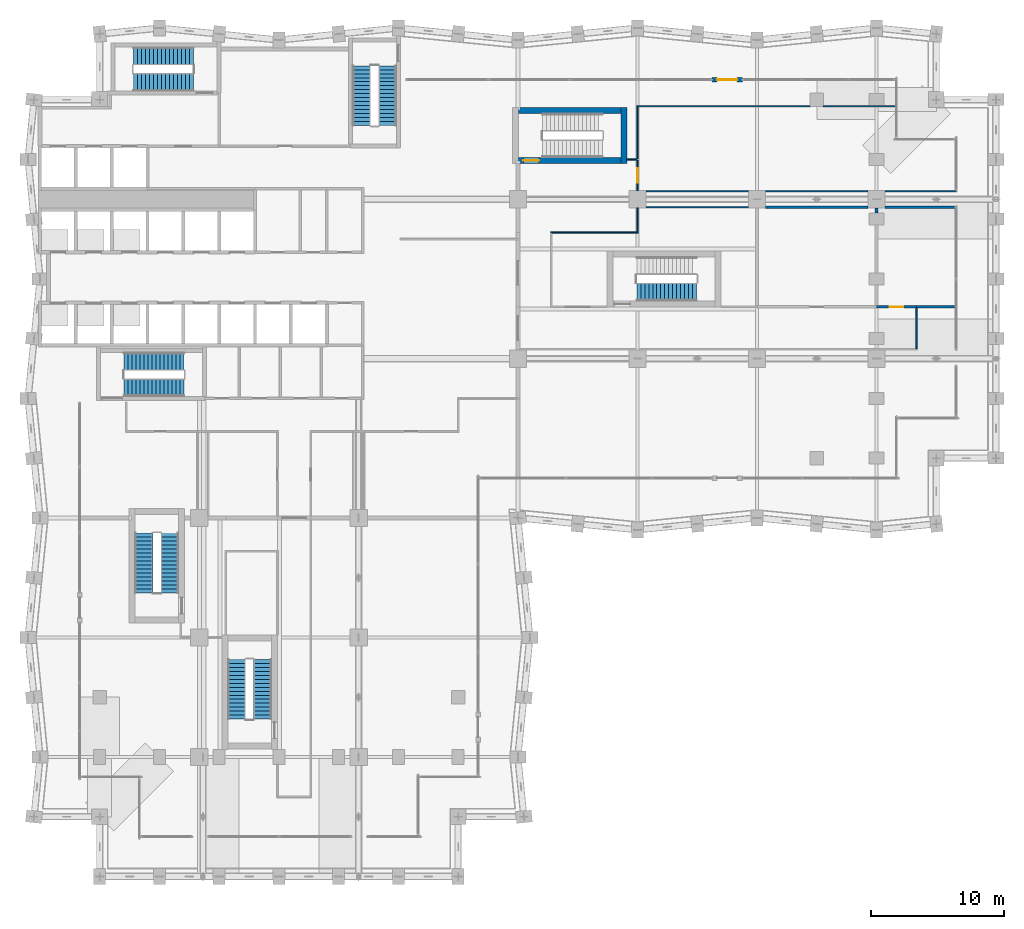
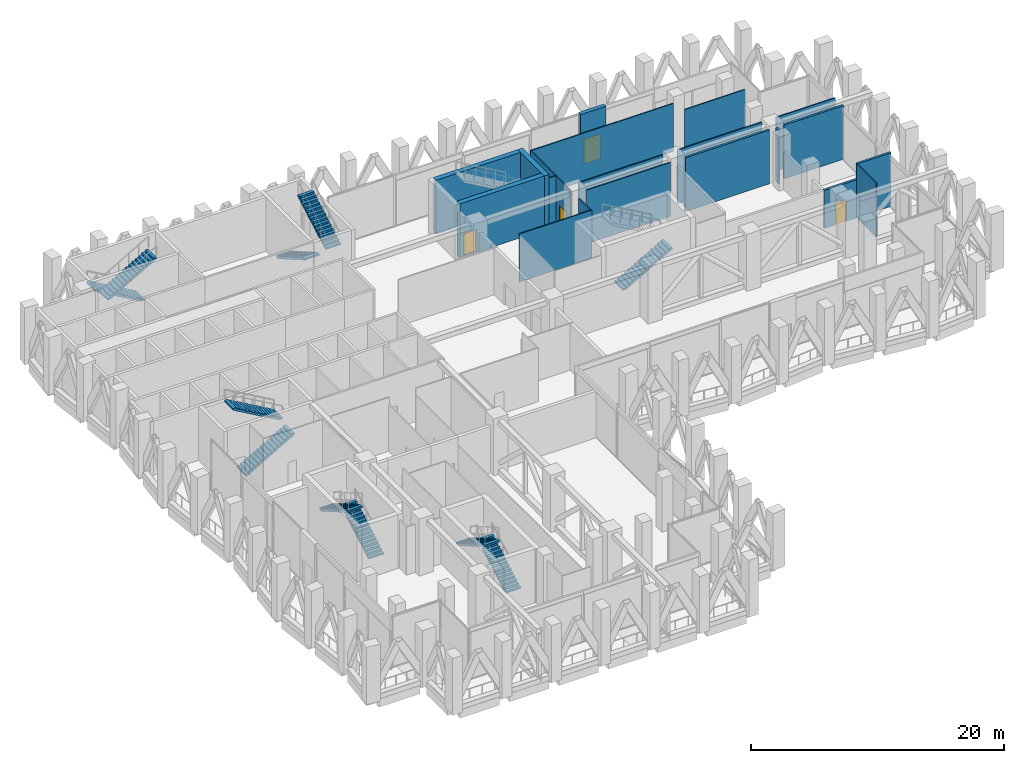
# One storey, part 25 of 37: 21 walls, 11 stair flights, 4 doors, 4 openings, 6 elements without a shape of their own.
"""IFC4 building model written with IfcOpenShell, lengths in metres."""

import ifcopenshell
import ifcopenshell.guid

model = None  # the IFC model being written
_history = None  # IfcOwnerHistory: only IFC2X3 demands one
_inside = {}  # id of a spatial element -> (the spatial element, [elements in it])
_under = {}  # id of a project, library or spatial element -> (it, [spatial elements below it])
_declared = {}  # id of a project -> (the project, [libraries it declares])
_typed = {}  # id of a type object -> (the type object, [elements of that type])
_made_of = {}  # id of a material, layer set ... -> (it, [elements and type objects made of it])


def new_model(schema):
    """Start an empty IFC model of exactly this schema.

    Asked for "IFC4X3", IfcOpenShell would pick the latest addendum, in which some entities
    have other attributes; the version numbers below select the first issue.
    IFC2X3 requires an IfcOwnerHistory on every rooted entity: one is made here for all.
    """
    global model, _history
    if schema == "IFC4X3":
        model = ifcopenshell.file(schema_version=(4, 3, 0, 0))
    else:
        model = ifcopenshell.file(schema=schema)
    _inside.clear()
    _under.clear()
    _declared.clear()
    _typed.clear()
    _made_of.clear()
    _history = None
    if model.schema == "IFC2X3":
        org = make("IfcOrganization", Name="unknown")
        user = make(
            "IfcPersonAndOrganization",
            ThePerson=make("IfcPerson", FamilyName="unknown"),
            TheOrganization=org,
        )
        app = make(
            "IfcApplication",
            ApplicationDeveloper=org,
            Version="unknown",
            ApplicationFullName="unknown",
            ApplicationIdentifier="unknown",
        )
        _history = make(
            "IfcOwnerHistory",
            OwningUser=user,
            OwningApplication=app,
            ChangeAction="ADDED",
            CreationDate=0,
        )
    return model


def make(cls, **values):
    """One entity of the class cls with the attributes given. An attribute that is None is left unset."""
    return model.create_entity(
        cls, **{name: value for name, value in values.items() if value is not None}
    )


def rooted(cls, **values):
    """An entity with a GlobalId (a new one), such as an element, a storey or a relation."""
    return make(cls, GlobalId=ifcopenshell.guid.new(), OwnerHistory=_history, **values)


def si_unit(unit_type, name, prefix=None):
    """IfcSIUnit, for example si_unit("LENGTHUNIT", "METRE", prefix="MILLI")."""
    return make("IfcSIUnit", UnitType=unit_type, Prefix=prefix, Name=name)


def assignment(units):
    """IfcUnitAssignment: the units of a project."""
    return None if units is None else make("IfcUnitAssignment", Units=units)


def point(xyz):
    """IfcCartesianPoint."""
    return None if xyz is None else make("IfcCartesianPoint", Coordinates=xyz)


def direction(xyz):
    """IfcDirection."""
    return None if xyz is None else make("IfcDirection", DirectionRatios=xyz)


def frame(location, z_axis=None, x_axis=None):
    """IfcAxis2Placement3D, a coordinate frame: its origin and axes. An axis left out is left unset."""
    return make(
        "IfcAxis2Placement3D",
        Location=point(location),
        Axis=direction(z_axis),
        RefDirection=direction(x_axis),
    )


def frame_2d(location, x_axis=None):
    """IfcAxis2Placement2D, a coordinate frame in the plane: its origin and x axis."""
    return make(
        "IfcAxis2Placement2D", Location=point(location), RefDirection=direction(x_axis)
    )


def origin():
    """The frame at (0, 0, 0) with its axes left unset."""
    return frame((0.0, 0.0, 0.0))


def place(relative_to, where):
    """IfcLocalPlacement: puts the frame where relative to a parent placement (None: the world)."""
    return make(
        "IfcLocalPlacement", PlacementRelTo=relative_to, RelativePlacement=where
    )


def context(
    kind, dimensions, precision=None, world=None, true_north=None, identifier=None
):
    """IfcGeometricRepresentationContext, for example the 3D "Model" context."""
    return make(
        "IfcGeometricRepresentationContext",
        ContextIdentifier=identifier,
        ContextType=kind,
        CoordinateSpaceDimension=dimensions,
        Precision=precision,
        WorldCoordinateSystem=world,
        TrueNorth=true_north,
    )


def subcontext(parent, identifier, kind, view, scale=None):
    """IfcGeometricRepresentationSubContext, for example "Body" below "Model"."""
    return make(
        "IfcGeometricRepresentationSubContext",
        ContextIdentifier=identifier,
        ContextType=kind,
        ParentContext=parent,
        TargetScale=scale,
        TargetView=view,
    )


def project(units=None, contexts=None):
    """IfcProject with its units and contexts."""
    return rooted(
        "IfcProject",
        Name="project",
        RepresentationContexts=contexts,
        UnitsInContext=assignment(units),
    )


def spatial(cls, under=None, at=None, **own):
    """A site, building, storey or space (cls), placed at a placement, below another one or the project."""
    s = rooted(cls, ObjectPlacement=at, **own)
    if under is not None:
        _under.setdefault(under.id(), (under, []))[1].append(s)
    return s


def polyline(points):
    """IfcPolyline through the points."""
    return make("IfcPolyline", Points=[point(p) for p in points])


def profile(cls, at=None, kind="AREA", **sizes):
    """A parametric profile (cls). Its sizes go by their IFC names, for example OverallWidth=200.0."""
    return make(cls, ProfileType=kind, Position=at, **sizes)


def rectangle(**sizes):
    """IfcRectangleProfileDef."""
    return profile("IfcRectangleProfileDef", **sizes)


def outline(outer, holes=None, kind="AREA"):
    """IfcArbitraryClosedProfileDef: a profile drawn as a closed curve; with holes, ...WithVoids."""
    if holes is None:
        return make("IfcArbitraryClosedProfileDef", ProfileType=kind, OuterCurve=outer)
    return make(
        "IfcArbitraryProfileDefWithVoids",
        ProfileType=kind,
        OuterCurve=outer,
        InnerCurves=holes,
    )


def extrude(swept, where, along, depth):
    """IfcExtrudedAreaSolid: the profile swept, set in the frame where, extruded along a direction by depth."""
    return make(
        "IfcExtrudedAreaSolid",
        SweptArea=swept,
        Position=where,
        ExtrudedDirection=direction(along),
        Depth=depth,
    )


def shape(context_of_items, identifier, shape_type, items):
    """IfcShapeRepresentation: the items that make up one representation, for example the "Body"."""
    return make(
        "IfcShapeRepresentation",
        ContextOfItems=context_of_items,
        RepresentationIdentifier=identifier,
        RepresentationType=shape_type,
        Items=items,
    )


def material(Name=None, Category=None):
    """IfcMaterial."""
    return make("IfcMaterial", Name=Name, Category=Category)


def layer(
    of_material, thickness, ventilated=None, Name=None, Category=None, Priority=None
):
    """IfcMaterialLayer: one layer of a wall or slab, of a material (None: an air gap)."""
    return make(
        "IfcMaterialLayer",
        Material=of_material,
        LayerThickness=thickness,
        IsVentilated=ventilated,
        Name=Name,
        Category=Category,
        Priority=Priority,
    )


def layer_set(layers, Name=None):
    """IfcMaterialLayerSet."""
    return make("IfcMaterialLayerSet", MaterialLayers=layers, LayerSetName=Name)


def made_of(thing, what):
    """Note that an element or type object is made of a material, layer set ...; save() writes the relation."""
    if what is not None:
        _made_of.setdefault(what.id(), (what, []))[1].append(thing)
    return thing


def type_object(cls, material=None, **own):
    """A type object (cls), such as IfcWallType, which elements share."""
    return made_of(rooted(cls, **own), material)


def element(
    cls,
    number,
    at=None,
    inside=None,
    cuts=None,
    type_object=None,
    material=None,
    context=None,
    identifier="Body",
    shape_type=None,
    held_by="IfcProductDefinitionShape",
    body=None,
    shapes=None,
    **own,
):
    """One element of the class cls, such as IfcWall. Its Tag is "e" and its number.

    at: its placement. inside: the storey or other place that contains it. cuts: it is an
    opening in that element (IfcRelVoidsElement). A single representation is given by context,
    identifier, shape_type and body (its items); several are given by shapes. held_by: the class
    of the entity that holds the representations. save() writes the other relations.
    """
    e = rooted(cls, Tag="e%d" % number, ObjectPlacement=at, **own)
    if body is not None:
        shapes = [shape(context, identifier, shape_type, body)]
    if shapes is not None:
        e.Representation = make(held_by, Representations=shapes)
    if inside is not None:
        _inside.setdefault(inside.id(), (inside, []))[1].append(e)
    if cuts is not None:
        rooted(
            "IfcRelVoidsElement", RelatingBuildingElement=cuts, RelatedOpeningElement=e
        )
    if type_object is not None:
        _typed.setdefault(type_object.id(), (type_object, []))[1].append(e)
    return made_of(e, material)


def fill(opening, filler):
    """IfcRelFillsElement: the door or window that sits in an opening."""
    return rooted(
        "IfcRelFillsElement",
        RelatingOpeningElement=opening,
        RelatedBuildingElement=filler,
    )


def aggregate(whole, parts):
    """IfcRelAggregates: a whole, such as a stair, and the parts it consists of."""
    return rooted("IfcRelAggregates", RelatingObject=whole, RelatedObjects=parts)


def save(model, path):
    """Write the relations noted so far, then the file.

    IfcRelAggregates (storeys below a building ...), IfcRelContainedInSpatialStructure (elements
    in a storey), IfcRelDefinesByType, IfcRelAssociatesMaterial and IfcRelDeclares: one each for
    every whole, place, type object, material and project.
    """
    for whole, parts in _under.values():
        aggregate(whole, parts)
    for where, things in _inside.values():
        rooted(
            "IfcRelContainedInSpatialStructure",
            RelatedElements=things,
            RelatingStructure=where,
        )
    for kind, things in _typed.values():
        rooted("IfcRelDefinesByType", RelatedObjects=things, RelatingType=kind)
    for what, things in _made_of.values():
        rooted("IfcRelAssociatesMaterial", RelatedObjects=things, RelatingMaterial=what)
    for by, libraries in _declared.values():
        rooted("IfcRelDeclares", RelatingContext=by, RelatedDefinitions=libraries)
    model.write(path)


model = new_model("IFC4")

# Units and contexts
model_context = context("Model", 3, precision=1e-05, world=origin(), true_north=direction((0.0, 1.0)))
body_context = subcontext(model_context, "Body", "Model", "MODEL_VIEW")
ifc_project = project(units=[si_unit("LENGTHUNIT", "METRE"), si_unit("AREAUNIT", "SQUARE_METRE"), si_unit("VOLUMEUNIT", "CUBIC_METRE"), si_unit("PLANEANGLEUNIT", "RADIAN"), si_unit("MASSUNIT", "GRAM", prefix="KILO")], contexts=[model_context])

# Site, building, storey
site_placement = place(None, origin())
site = spatial("IfcSite", under=ifc_project, at=site_placement, CompositionType="ELEMENT")
building_placement = place(site_placement, origin())
building = spatial("IfcBuilding", under=site, at=building_placement, Name="Brondeck Convention Tower", CompositionType="ELEMENT")
storey_placement = place(building_placement, frame((0.0, 0.0, 137.89990234375)))
storey = spatial("IfcBuildingStorey", under=building, at=storey_placement, Name="L33", CompositionType="ELEMENT", Elevation=137.89990234375)

# Wall, opening, door
ifc_material_1 = material(Name="Precast concrete C50/60 bronze finish", Category="concrete")
ifc_layer_1 = layer(ifc_material_1, 0.080078125, Name="Bronze precast facing")
ifc_material_2 = material(Name="Mineral wool")
ifc_layer_2 = layer(ifc_material_2, 0.159912109375, Name="Insulation")
ifc_material_3 = material(Name="Precast concrete C50/60", Category="concrete")
ifc_layer_3 = layer(ifc_material_3, 0.110107421875, Name="Rated backing")
ifc_layer_set_1 = layer_set([ifc_layer_1, ifc_layer_2, ifc_layer_3], Name="Band enclosure wall, insulated panel")
wall_type_1 = type_object("IfcWallType", Name="Band enclosure wall, insulated panel", PredefinedType="SOLIDWALL", material=ifc_layer_set_1)
wall_1_placement = place(storey_placement, frame((50.60009765625, 60.0, 0.0), z_axis=(0.0, 0.0, 1.0), x_axis=(1.0, 0.0, 0.0)))
wall_1 = element("IfcWall", 1, at=wall_1_placement, inside=storey, type_object=wall_type_1, Name="ENV-BW-L33-BT-A-N", PredefinedType="SOLIDWALL", context=body_context, shape_type="SweptSolid", body=[
    extrude(rectangle(XDim=2.2998046875, YDim=0.35009765625, at=frame_2d((1.14990234375, 0.0))), origin(), (0.0, 0.0, 1.0), 5.0),
])
opening_1_placement = place(wall_1_placement, frame((0.39990234375, 0.0, 0.0)))
opening_1 = element("IfcOpeningElement", 2, at=opening_1_placement, cuts=wall_1, Name="Opening DB-L33-BT-A-N", PredefinedType="OPENING", context=body_context, shape_type="SweptSolid", body=[
    extrude(rectangle(XDim=1.5, YDim=2.39990234375, at=frame_2d((0.75, 1.199951171875))), frame((0.0, 0.18505859375, 0.0), z_axis=(0.0, -1.0, 0.0), x_axis=(1.0, 0.0, 0.0)), (0.0, 0.0, 1.0), 0.3701171875),
])
ifc_material_4 = material(Name="Steel, fire-rated door leaf", Category="steel")
door_type_1 = type_object("IfcDoorType", Name="Refuge terrace door, double leaf", OperationType="DOUBLE_DOOR_SINGLE_SWING", PredefinedType="DOOR", material=ifc_material_4)
door_1_placement = place(opening_1_placement, origin())
door_1 = element("IfcDoor", 3, at=door_1_placement, inside=storey, type_object=door_type_1, Name="ENV-D-DB-L33-BT-A-N", OperationType="DOUBLE_DOOR_SINGLE_SWING", OverallHeight=2.39990234375, OverallWidth=1.5, PredefinedType="DOOR", context=body_context, shape_type="SweptSolid", body=[
    extrude(rectangle(XDim=1.5, YDim=2.39990234375, at=frame_2d((0.75, 1.199951171875))), frame((0.0, 0.02490234375, 0.0), z_axis=(0.0, -1.0, 0.0), x_axis=(1.0, 0.0, 0.0)), (0.0, 0.0, 1.0), 0.050048828125),
])
fill(opening_1, door_1)

ifc_material_5 = material(Name="Concrete block wall C16/20", Category="concrete")
ifc_layer_4 = layer(ifc_material_5, 0.199951171875)
ifc_layer_set_2 = layer_set([ifc_layer_4], Name="Plant room wall 200")
wall_type_2 = type_object("IfcWallType", Name="Plant room wall 200", PredefinedType="PARTITIONING", material=ifc_layer_set_2)
wall_2_placement = place(storey_placement, frame((63.0, 42.89990234375, 0.0), z_axis=(0.0, 0.0, 1.0), x_axis=(1.0, 0.0, 0.0)))
wall_2 = element("IfcWall", 4, at=wall_2_placement, inside=storey, type_object=wall_type_2, Name="FLR-L33-W043", PredefinedType="PARTITIONING", context=body_context, shape_type="SweptSolid", body=[
    extrude(rectangle(XDim=3.0, YDim=0.199951171875, at=frame_2d((1.5, 0.0))), origin(), (0.0, 0.0, 1.0), 3.68017578125),
])
opening_2_placement = place(wall_2_placement, frame((1.0, 0.0, 0.0)))
opening_2 = element("IfcOpeningElement", 5, at=opening_2_placement, cuts=wall_2, Name="Opening BD-2-003", PredefinedType="OPENING", context=body_context, shape_type="SweptSolid", body=[
    extrude(rectangle(XDim=1.0, YDim=2.10009765625, at=frame_2d((0.5, 1.050048828125))), frame((0.0, 0.10986328125, 0.0), z_axis=(0.0, -1.0, 0.0), x_axis=(1.0, 0.0, 0.0)), (0.0, 0.0, 1.0), 0.219970703125),
])
ifc_material_6 = material(Name="Steel fire door leaf", Category="steel")
door_type_2 = type_object("IfcDoorType", Name="Plant room door 1000", OperationType="NOTDEFINED", PredefinedType="DOOR", material=ifc_material_6)
door_2_placement = place(opening_2_placement, origin())
door_2 = element("IfcDoor", 6, at=door_2_placement, inside=storey, type_object=door_type_2, Name="Door BD-2-003", OperationType="SINGLE_SWING_LEFT", OverallHeight=2.10009765625, OverallWidth=1.0, PredefinedType="DOOR", context=body_context, shape_type="SweptSolid", body=[
    extrude(rectangle(XDim=1.0, YDim=2.10009765625, at=frame_2d((0.5, 1.050048828125))), frame((0.0, 0.02490234375, 0.0), z_axis=(0.0, -1.0, 0.0), x_axis=(1.0, 0.0, 0.0)), (0.0, 0.0, 1.0), 0.050048828125),
])
fill(opening_2, door_2)

# Walls
wall_3_placement = place(storey_placement, frame((69.10009765625, 42.89990234375, 0.0), z_axis=(0.0, 0.0, 1.0), x_axis=(-1.0, 0.0, 0.0)))
element("IfcWall", 7, at=wall_3_placement, inside=storey, type_object=wall_type_2, Name="FLR-L33-W044", PredefinedType="PARTITIONING", context=body_context, shape_type="SweptSolid", body=[
    extrude(rectangle(XDim=3.10009765625, YDim=0.199951171875, at=frame_2d((1.550048828125, 0.0))), origin(), (0.0, 0.0, 1.0), 5.18017578125),
])
wall_4_placement = place(storey_placement, frame((63.0, 50.330078125, 0.0), z_axis=(0.0, 0.0, 1.0), x_axis=(0.0, -1.0, 0.0)))
element("IfcWall", 8, at=wall_4_placement, inside=storey, type_object=wall_type_2, Name="FLR-L33-W054", PredefinedType="PARTITIONING", context=body_context, shape_type="SweptSolid", body=[
    extrude(rectangle(XDim=0.375, YDim=0.199951171875, at=frame_2d((0.1875, 0.0))), origin(), (0.0, 0.0, 1.0), 5.18017578125),
])
wall_5_placement = place(storey_placement, frame((54.655029296875, 50.39990234375, 0.0), z_axis=(0.0, 0.0, 1.0), x_axis=(1.0, 0.0, 0.0)))
element("IfcWall", 9, at=wall_5_placement, inside=storey, type_object=wall_type_2, Name="FLR-L33-W058", PredefinedType="PARTITIONING", context=body_context, shape_type="SweptSolid", body=[
    extrude(rectangle(XDim=7.68994140625, YDim=0.199951171875, at=frame_2d((3.844970703125, 0.0))), origin(), (0.0, 0.0, 1.0), 5.18017578125),
])
wall_6_placement = place(storey_placement, frame((63.655029296875, 50.39990234375, 0.0), z_axis=(0.0, 0.0, 1.0), x_axis=(1.0, 0.0, 0.0)))
element("IfcWall", 10, at=wall_6_placement, inside=storey, type_object=wall_type_2, Name="FLR-L33-W059", PredefinedType="PARTITIONING", context=body_context, shape_type="SweptSolid", body=[
    extrude(rectangle(XDim=5.445068359375, YDim=0.199951171875, at=frame_2d((2.72265625, 0.0))), origin(), (0.0, 0.0, 1.0), 5.18017578125),
])
ifc_material_7 = material(Name="Gypsum board partition on steel studs", Category="steel")
ifc_layer_5 = layer(ifc_material_7, 0.10009765625)
ifc_layer_set_3 = layer_set([ifc_layer_5], Name="Room partition 100")
wall_type_3 = type_object("IfcWallType", Name="Room partition 100", PredefinedType="PARTITIONING", material=ifc_layer_set_3)
wall_7_placement = place(storey_placement, frame((66.0, 42.800048828125, 0.0), z_axis=(0.0, 0.0, 1.0), x_axis=(0.0, -1.0, 0.0)))
element("IfcWall", 11, at=wall_7_placement, inside=storey, type_object=wall_type_3, Name="FLR-L33-W038", PredefinedType="PARTITIONING", context=body_context, shape_type="SweptSolid", body=[
    extrude(rectangle(XDim=3.050048828125, YDim=0.10009765625, at=frame_2d((1.52490234375, 0.0))), origin(), (0.0, 0.0, 1.0), 5.18017578125),
])
wall_8_placement = place(storey_placement, frame((45.050048828125, 48.5, 0.0), z_axis=(0.0, 0.0, 1.0), x_axis=(-1.0, 0.0, 0.0)))
element("IfcWall", 12, at=wall_8_placement, inside=storey, type_object=wall_type_3, Name="FLR-L33-W051", PredefinedType="PARTITIONING", context=body_context, shape_type="SweptSolid", body=[
    extrude(rectangle(XDim=6.60009765625, YDim=0.10009765625, at=frame_2d((3.300048828125, 0.0))), origin(), (0.0, 0.0, 1.0), 4.630126953125),
])
wall_9_placement = place(storey_placement, frame((45.0, 50.344970703125, 0.0), z_axis=(0.0, 0.0, 1.0), x_axis=(0.0, -1.0, 0.0)))
element("IfcWall", 13, at=wall_9_placement, inside=storey, type_object=wall_type_3, Name="FLR-L33-W056", PredefinedType="PARTITIONING", context=body_context, shape_type="SweptSolid", body=[
    extrude(rectangle(XDim=1.794921875, YDim=0.10009765625, at=frame_2d((0.8974609375, 0.0))), origin(), (0.0, 0.0, 1.0), 4.630126953125),
])
for number, where, z_axis, x_axis, name in (
    (14, (45.655029296875, 50.39990234375, 0.0), (0.0, 0.0, 1.0), (1.0, 0.0, 0.0), "FLR-L33-W057"),
    (15, (53.344970703125, 51.60009765625, 0.0), (0.0, 0.0, 1.0), (-1.0, 0.0, 0.0), "FLR-L33-W060"),
    (16, (62.344970703125, 51.60009765625, 0.0), (0.0, 0.0, 1.0), (-1.0, 0.0, 0.0), "FLR-L33-W061"),
):
    element("IfcWall", number, at=place(storey_placement, frame(where, z_axis=z_axis, x_axis=x_axis)), inside=storey, type_object=wall_type_3, Name=name, PredefinedType="PARTITIONING", context=body_context, shape_type="SweptSolid", body=[
        extrude(rectangle(XDim=7.68994140625, YDim=0.10009765625, at=frame_2d((3.844970703125, 0.0))), origin(), (0.0, 0.0, 1.0), 5.18017578125),
    ])
wall_10_placement = place(storey_placement, frame((69.050048828125, 51.60009765625, 0.0), z_axis=(0.0, 0.0, 1.0), x_axis=(-1.0, 0.0, 0.0)))
element("IfcWall", 17, at=wall_10_placement, inside=storey, type_object=wall_type_3, Name="FLR-L33-W062", PredefinedType="PARTITIONING", context=body_context, shape_type="SweptSolid", body=[
    extrude(rectangle(XDim=5.39501953125, YDim=0.10009765625, at=frame_2d((2.697509765625, 0.0))), origin(), (0.0, 0.0, 1.0), 5.18017578125),
])

# Wall, opening, door
wall_11_placement = place(storey_placement, frame((45.0, 53.949951171875, 0.0), z_axis=(0.0, 0.0, 1.0), x_axis=(0.0, -1.0, 0.0)))
wall_11 = element("IfcWall", 18, at=wall_11_placement, inside=storey, type_object=wall_type_3, Name="FLR-L33-W064", PredefinedType="PARTITIONING", context=body_context, shape_type="SweptSolid", body=[
    extrude(rectangle(XDim=2.294921875, YDim=0.10009765625, at=frame_2d((1.1474609375, 0.0))), origin(), (0.0, 0.0, 1.0), 4.630126953125),
])
opening_3_placement = place(wall_11_placement, frame((0.60009765625, 0.0, 0.0)))
opening_3 = element("IfcOpeningElement", 19, at=opening_3_placement, cuts=wall_11, Name="Opening BD-2-004", PredefinedType="OPENING", context=body_context, shape_type="SweptSolid", body=[
    extrude(rectangle(XDim=1.10009765625, YDim=2.10009765625, at=frame_2d((0.550048828125, 1.050048828125))), frame((0.0, 0.06005859375, 0.0), z_axis=(0.0, -1.0, 0.0), x_axis=(1.0, 0.0, 0.0)), (0.0, 0.0, 1.0), 0.1201171875),
])
door_type_3 = type_object("IfcDoorType", Name="Refuge door 1100", OperationType="NOTDEFINED", PredefinedType="DOOR", material=ifc_material_6)
door_3_placement = place(opening_3_placement, origin())
door_3 = element("IfcDoor", 20, at=door_3_placement, inside=storey, type_object=door_type_3, Name="Door BD-2-004", OperationType="SINGLE_SWING_LEFT", OverallHeight=2.10009765625, OverallWidth=1.10009765625, PredefinedType="DOOR", context=body_context, shape_type="SweptSolid", body=[
    extrude(rectangle(XDim=1.10009765625, YDim=2.10009765625, at=frame_2d((0.550048828125, 1.050048828125))), frame((0.0, 0.02490234375, 0.0), z_axis=(0.0, -1.0, 0.0), x_axis=(1.0, 0.0, 0.0)), (0.0, 0.0, 1.0), 0.050048828125),
])
fill(opening_3, door_3)

# Walls
wall_12_placement = place(storey_placement, frame((44.199951171875, 54.0, 0.0), z_axis=(0.0, 0.0, 1.0), x_axis=(1.0, 0.0, 0.0)))
element("IfcWall", 21, at=wall_12_placement, inside=storey, type_object=wall_type_3, Name="FLR-L33-W065", PredefinedType="PARTITIONING", context=body_context, shape_type="SweptSolid", body=[
    extrude(rectangle(XDim=0.75, YDim=0.10009765625, at=frame_2d((0.375, 0.0))), origin(), (0.0, 0.0, 1.0), 4.630126953125),
])
wall_13_placement = place(storey_placement, frame((45.0, 54.050048828125, 0.0), z_axis=(0.0, 0.0, 1.0), x_axis=(0.0, 1.0, 0.0)))
element("IfcWall", 22, at=wall_13_placement, inside=storey, type_object=wall_type_3, Name="FLR-L33-W066", PredefinedType="PARTITIONING", context=body_context, shape_type="SweptSolid", body=[
    extrude(rectangle(XDim=3.89990234375, YDim=0.10009765625, at=frame_2d((1.949951171875, 0.0))), origin(), (0.0, 0.0, 1.0), 4.630126953125),
])
wall_14_placement = place(storey_placement, frame((44.949951171875, 58.0, 0.0), z_axis=(0.0, 0.0, 1.0), x_axis=(1.0, 0.0, 0.0)))
element("IfcWall", 23, at=wall_14_placement, inside=storey, type_object=wall_type_3, Name="FLR-L33-W070", PredefinedType="PARTITIONING", context=body_context, shape_type="SweptSolid", body=[
    extrude(rectangle(XDim=13.045166015625, YDim=0.10009765625, at=frame_2d((6.5224609375, 0.0))), origin(), (0.0, 0.0, 1.0), 4.630126953125),
])
wall_15_placement = place(storey_placement, frame((59.0048828125, 58.0, 0.0), z_axis=(0.0, 0.0, 1.0), x_axis=(1.0, 0.0, 0.0)))
element("IfcWall", 24, at=wall_15_placement, inside=storey, type_object=wall_type_3, Name="FLR-L33-W071", PredefinedType="PARTITIONING", context=body_context, shape_type="SweptSolid", body=[
    extrude(rectangle(XDim=5.545166015625, YDim=0.10009765625, at=frame_2d((2.7724609375, 0.0))), origin(), (0.0, 0.0, 1.0), 3.68017578125),
])

# Wall, opening, door
ifc_material_8 = material(Name="Concrete C50/60", Category="concrete")
ifc_layer_6 = layer(ifc_material_8, 0.449951171875)
ifc_layer_set_4 = layer_set([ifc_layer_6], Name="Stair enclosure bearing wall 450 Concrete C50/60")
wall_type_4 = type_object("IfcWallType", Name="Stair enclosure bearing wall 450 Concrete C50/60", PredefinedType="SHEAR", material=ifc_layer_set_4)
wall_16_placement = place(storey_placement, frame((36.050048828125, 53.925048828125, 0.0), z_axis=(0.0, 0.0, 1.0), x_axis=(1.0, 0.0, 0.0)))
wall_16 = element("IfcWall", 25, at=wall_16_placement, inside=storey, type_object=wall_type_4, Name="L33 core wall", PredefinedType="SHEAR", context=body_context, shape_type="SweptSolid", body=[
    extrude(rectangle(XDim=7.699951171875, YDim=0.449951171875, at=frame_2d((3.85009765625, 0.0))), origin(), (0.0, 0.0, 1.0), 5.2001953125),
])
opening_4_placement = place(wall_16_placement, frame((0.35009765625, 0.0, 0.0)))
opening_4 = element("IfcOpeningElement", 26, at=opening_4_placement, cuts=wall_16, Name="Opening C19-14", PredefinedType="OPENING", context=body_context, shape_type="SweptSolid", body=[
    extrude(rectangle(XDim=1.199951171875, YDim=2.199951171875, at=frame_2d((0.60009765625, 1.10009765625))), frame((0.0, 0.23486328125, 0.0), z_axis=(0.0, -1.0, 0.0), x_axis=(1.0, 0.0, 0.0)), (0.0, 0.0, 1.0), 0.469970703125),
])
ifc_material_9 = material(Name="Steel fire door", Category="steel")
door_type_4 = type_object("IfcDoorType", Name="Stair door 1200x2200 EI 90", OperationType="NOTDEFINED", PredefinedType="DOOR", material=ifc_material_9)
door_4_placement = place(opening_4_placement, origin())
door_4 = element("IfcDoor", 27, at=door_4_placement, inside=storey, type_object=door_type_4, Name="L33 Stair door ST-AE", OperationType="SINGLE_SWING_LEFT", OverallHeight=2.199951171875, OverallWidth=1.199951171875, PredefinedType="DOOR", context=body_context, shape_type="SweptSolid", body=[
    extrude(rectangle(XDim=1.199951171875, YDim=2.199951171875, at=frame_2d((0.60009765625, 1.10009765625))), frame((0.0, 0.02490234375, 0.0), z_axis=(0.0, -1.0, 0.0), x_axis=(1.0, 0.0, 0.0)), (0.0, 0.0, 1.0), 0.050048828125),
])
fill(opening_4, door_4)

# Walls
wall_17_placement = place(storey_placement, frame((36.050048828125, 57.675048828125, 0.0), z_axis=(0.0, 0.0, 1.0), x_axis=(1.0, 0.0, 0.0)))
element("IfcWall", 28, at=wall_17_placement, inside=storey, type_object=wall_type_4, Name="L33 core wall", PredefinedType="SHEAR", context=body_context, shape_type="SweptSolid", body=[
    extrude(rectangle(XDim=7.699951171875, YDim=0.449951171875, at=frame_2d((3.85009765625, 0.0))), origin(), (0.0, 0.0, 1.0), 5.2001953125),
])
wall_18_placement = place(storey_placement, frame((43.97509765625, 53.699951171875, 0.0), z_axis=(0.0, 0.0, 1.0), x_axis=(0.0, 1.0, 0.0)))
element("IfcWall", 29, at=wall_18_placement, inside=storey, type_object=wall_type_4, Name="L33 core wall", PredefinedType="SHEAR", context=body_context, shape_type="SweptSolid", body=[
    extrude(rectangle(XDim=4.199951171875, YDim=0.449951171875, at=frame_2d((2.10009765625, 0.0))), origin(), (0.0, 0.0, 1.0), 5.2001953125),
])

# Stair, stair flights
stair_type = type_object("IfcStairType", Name="Core stair 32 risers 171.88 mm riser 300 mm going 1350 wide", PredefinedType="HALF_TURN_STAIR", material=ifc_material_3)
stair_1_placement = place(storey_placement, origin())
stair_1 = element("IfcStair", 30, at=stair_1_placement, inside=storey, type_object=stair_type, Name="ST-1 L33 stair", PredefinedType="HALF_TURN_STAIR")
stair_flight_type = type_object("IfcStairFlightType", Name="Core stair flight 32 risers 171.88 mm riser 300 mm going 1350 wide", PredefinedType="STRAIGHT", material=ifc_material_3)
stair_flight_1_placement = place(storey_placement, frame((6.35009765625, 36.824951171875, 0.0), z_axis=(0.0, 0.0, 1.0), x_axis=(1.0, 0.0, 0.0)))
stair_flight_1 = element("IfcStairFlight", 31, at=stair_flight_1_placement, type_object=stair_flight_type, Name="ST-1 flight 1", NumberOfRisers=16, NumberOfTreads=15, PredefinedType="STRAIGHT", RiserHeight=0.171875, TreadLength=0.3, context=body_context, shape_type="SweptSolid", body=[
    extrude(outline(polyline([(0.0, 0.0), (0.0, 0.171875), (0.300048828125, 0.171875), (0.300048828125, 0.34375), (0.60009765625, 0.34375), (0.60009765625, 0.515625), (0.89990234375, 0.515625), (0.89990234375, 0.6875), (1.199951171875, 0.6875), (1.199951171875, 0.859375), (1.5, 0.859375), (1.5, 1.03125), (1.800048828125, 1.03125), (1.800048828125, 1.203125), (2.10009765625, 1.203125), (2.10009765625, 1.375), (2.39990234375, 1.375), (2.39990234375, 1.546875), (2.699951171875, 1.546875), (2.699951171875, 1.71875), (3.0, 1.71875), (3.0, 1.890625), (3.300048828125, 1.890625), (3.300048828125, 2.0625), (3.60009765625, 2.0625), (3.60009765625, 2.234375), (3.89990234375, 2.234375), (3.89990234375, 2.40625), (4.199951171875, 2.40625), (4.199951171875, 2.578125), (4.5, 2.578125), (4.5, 2.75), (4.5, 2.4052734375), (0.301513671875, 0.0), (0.0, 0.0)])), frame((0.0, 0.675048828125, 0.0), z_axis=(0.0, -1.0, 0.0), x_axis=(1.0, 0.0, 0.0)), (0.0, 0.0, 1.0), 1.35009765625),
])
stair_flight_2_placement = place(storey_placement, frame((10.85009765625, 38.77490234375, 2.75), z_axis=(0.0, 0.0, 1.0), x_axis=(-1.0, 0.0, 0.0)))
stair_flight_2 = element("IfcStairFlight", 32, at=stair_flight_2_placement, type_object=stair_flight_type, Name="ST-1 flight 2", NumberOfRisers=16, NumberOfTreads=15, PredefinedType="STRAIGHT", RiserHeight=0.171875, TreadLength=0.3, context=body_context, shape_type="SweptSolid", body=[
    extrude(outline(polyline([(0.0, 0.0), (0.0, 0.171875), (0.300048828125, 0.171875), (0.300048828125, 0.34375), (0.60009765625, 0.34375), (0.60009765625, 0.515625), (0.89990234375, 0.515625), (0.89990234375, 0.6875), (1.199951171875, 0.6875), (1.199951171875, 0.859375), (1.5, 0.859375), (1.5, 1.03125), (1.800048828125, 1.03125), (1.800048828125, 1.203125), (2.10009765625, 1.203125), (2.10009765625, 1.375), (2.39990234375, 1.375), (2.39990234375, 1.546875), (2.699951171875, 1.546875), (2.699951171875, 1.71875), (3.0, 1.71875), (3.0, 1.890625), (3.300048828125, 1.890625), (3.300048828125, 2.0625), (3.60009765625, 2.0625), (3.60009765625, 2.234375), (3.89990234375, 2.234375), (3.89990234375, 2.40625), (4.199951171875, 2.40625), (4.199951171875, 2.578125), (4.5, 2.578125), (4.5, 2.75), (4.5, 2.4052734375), (0.301513671875, 0.0), (0.0, 0.0)])), frame((0.0, 0.675048828125, 0.0), z_axis=(0.0, -1.0, 0.0), x_axis=(1.0, 0.0, 0.0)), (0.0, 0.0, 1.0), 1.35009765625),
])
aggregate(stair_1, [stair_flight_1, stair_flight_2])

stair_2_placement = place(storey_placement, origin())
stair_2 = element("IfcStair", 33, at=stair_2_placement, inside=storey, type_object=stair_type, Name="ST-2 L33 stair", PredefinedType="HALF_TURN_STAIR")
stair_flight_3_placement = place(storey_placement, frame((24.22509765625, 61.050048828125, 0.0), z_axis=(0.0, 0.0, 1.0), x_axis=(0.0, -1.0, 0.0)))
stair_flight_3 = element("IfcStairFlight", 34, at=stair_flight_3_placement, type_object=stair_flight_type, Name="ST-2 flight 1", NumberOfRisers=16, NumberOfTreads=15, PredefinedType="STRAIGHT", RiserHeight=0.171875, TreadLength=0.3, context=body_context, shape_type="SweptSolid", body=[
    extrude(outline(polyline([(0.0, 0.0), (0.0, 0.171875), (0.300048828125, 0.171875), (0.300048828125, 0.34375), (0.60009765625, 0.34375), (0.60009765625, 0.515625), (0.89990234375, 0.515625), (0.89990234375, 0.6875), (1.199951171875, 0.6875), (1.199951171875, 0.859375), (1.5, 0.859375), (1.5, 1.03125), (1.800048828125, 1.03125), (1.800048828125, 1.203125), (2.10009765625, 1.203125), (2.10009765625, 1.375), (2.39990234375, 1.375), (2.39990234375, 1.546875), (2.699951171875, 1.546875), (2.699951171875, 1.71875), (3.0, 1.71875), (3.0, 1.890625), (3.300048828125, 1.890625), (3.300048828125, 2.0625), (3.60009765625, 2.0625), (3.60009765625, 2.234375), (3.89990234375, 2.234375), (3.89990234375, 2.40625), (4.199951171875, 2.40625), (4.199951171875, 2.578125), (4.5, 2.578125), (4.5, 2.75), (4.5, 2.4052734375), (0.301513671875, 0.0), (0.0, 0.0)])), frame((0.0, 0.675048828125, 0.0), z_axis=(0.0, -1.0, 0.0), x_axis=(1.0, 0.0, 0.0)), (0.0, 0.0, 1.0), 1.35009765625),
])
stair_flight_4_placement = place(storey_placement, frame((26.175048828125, 56.550048828125, 2.75), z_axis=(0.0, 0.0, 1.0), x_axis=(0.0, 1.0, 0.0)))
stair_flight_4 = element("IfcStairFlight", 35, at=stair_flight_4_placement, type_object=stair_flight_type, Name="ST-2 flight 2", NumberOfRisers=16, NumberOfTreads=15, PredefinedType="STRAIGHT", RiserHeight=0.171875, TreadLength=0.3, context=body_context, shape_type="SweptSolid", body=[
    extrude(outline(polyline([(0.0, 0.0), (0.0, 0.171875), (0.300048828125, 0.171875), (0.300048828125, 0.34375), (0.60009765625, 0.34375), (0.60009765625, 0.515625), (0.89990234375, 0.515625), (0.89990234375, 0.6875), (1.199951171875, 0.6875), (1.199951171875, 0.859375), (1.5, 0.859375), (1.5, 1.03125), (1.800048828125, 1.03125), (1.800048828125, 1.203125), (2.10009765625, 1.203125), (2.10009765625, 1.375), (2.39990234375, 1.375), (2.39990234375, 1.546875), (2.699951171875, 1.546875), (2.699951171875, 1.71875), (3.0, 1.71875), (3.0, 1.890625), (3.300048828125, 1.890625), (3.300048828125, 2.0625), (3.60009765625, 2.0625), (3.60009765625, 2.234375), (3.89990234375, 2.234375), (3.89990234375, 2.40625), (4.199951171875, 2.40625), (4.199951171875, 2.578125), (4.5, 2.578125), (4.5, 2.75), (4.5, 2.4052734375), (0.301513671875, 0.0), (0.0, 0.0)])), frame((0.0, 0.675048828125, 0.0), z_axis=(0.0, -1.0, 0.0), x_axis=(1.0, 0.0, 0.0)), (0.0, 0.0, 1.0), 1.35009765625),
])
aggregate(stair_2, [stair_flight_3, stair_flight_4])

stair_3_placement = place(storey_placement, origin())
stair_3 = element("IfcStair", 36, at=stair_3_placement, inside=storey, type_object=stair_type, Name="ST-3 L33 stair", PredefinedType="HALF_TURN_STAIR")
stair_flight_5_placement = place(storey_placement, frame((11.550048828125, 61.77490234375, 0.0), z_axis=(0.0, 0.0, 1.0), x_axis=(-1.0, 0.0, 0.0)))
stair_flight_5 = element("IfcStairFlight", 37, at=stair_flight_5_placement, type_object=stair_flight_type, Name="ST-3 flight 1", NumberOfRisers=16, NumberOfTreads=15, PredefinedType="STRAIGHT", RiserHeight=0.171875, TreadLength=0.3, context=body_context, shape_type="SweptSolid", body=[
    extrude(outline(polyline([(0.0, 0.0), (0.0, 0.171875), (0.300048828125, 0.171875), (0.300048828125, 0.34375), (0.60009765625, 0.34375), (0.60009765625, 0.515625), (0.89990234375, 0.515625), (0.89990234375, 0.6875), (1.199951171875, 0.6875), (1.199951171875, 0.859375), (1.5, 0.859375), (1.5, 1.03125), (1.800048828125, 1.03125), (1.800048828125, 1.203125), (2.10009765625, 1.203125), (2.10009765625, 1.375), (2.39990234375, 1.375), (2.39990234375, 1.546875), (2.699951171875, 1.546875), (2.699951171875, 1.71875), (3.0, 1.71875), (3.0, 1.890625), (3.300048828125, 1.890625), (3.300048828125, 2.0625), (3.60009765625, 2.0625), (3.60009765625, 2.234375), (3.89990234375, 2.234375), (3.89990234375, 2.40625), (4.199951171875, 2.40625), (4.199951171875, 2.578125), (4.5, 2.578125), (4.5, 2.75), (4.5, 2.4052734375), (0.301513671875, 0.0), (0.0, 0.0)])), frame((0.0, 0.675048828125, 0.0), z_axis=(0.0, -1.0, 0.0), x_axis=(1.0, 0.0, 0.0)), (0.0, 0.0, 1.0), 1.35009765625),
])
stair_flight_6_placement = place(storey_placement, frame((7.050048828125, 59.824951171875, 2.75), z_axis=(0.0, 0.0, 1.0), x_axis=(1.0, 0.0, 0.0)))
stair_flight_6 = element("IfcStairFlight", 38, at=stair_flight_6_placement, type_object=stair_flight_type, Name="ST-3 flight 2", NumberOfRisers=16, NumberOfTreads=15, PredefinedType="STRAIGHT", RiserHeight=0.171875, TreadLength=0.3, context=body_context, shape_type="SweptSolid", body=[
    extrude(outline(polyline([(0.0, 0.0), (0.0, 0.171875), (0.300048828125, 0.171875), (0.300048828125, 0.34375), (0.60009765625, 0.34375), (0.60009765625, 0.515625), (0.89990234375, 0.515625), (0.89990234375, 0.6875), (1.199951171875, 0.6875), (1.199951171875, 0.859375), (1.5, 0.859375), (1.5, 1.03125), (1.800048828125, 1.03125), (1.800048828125, 1.203125), (2.10009765625, 1.203125), (2.10009765625, 1.375), (2.39990234375, 1.375), (2.39990234375, 1.546875), (2.699951171875, 1.546875), (2.699951171875, 1.71875), (3.0, 1.71875), (3.0, 1.890625), (3.300048828125, 1.890625), (3.300048828125, 2.0625), (3.60009765625, 2.0625), (3.60009765625, 2.234375), (3.89990234375, 2.234375), (3.89990234375, 2.40625), (4.199951171875, 2.40625), (4.199951171875, 2.578125), (4.5, 2.578125), (4.5, 2.75), (4.5, 2.4052734375), (0.301513671875, 0.0), (0.0, 0.0)])), frame((0.0, 0.675048828125, 0.0), z_axis=(0.0, -1.0, 0.0), x_axis=(1.0, 0.0, 0.0)), (0.0, 0.0, 1.0), 1.35009765625),
])
aggregate(stair_3, [stair_flight_5, stair_flight_6])

stair_4_placement = place(storey_placement, origin())
stair_4 = element("IfcStair", 39, at=stair_4_placement, inside=storey, type_object=stair_type, Name="ST-BE L33 stair", PredefinedType="HALF_TURN_STAIR")
stair_flight_7_placement = place(storey_placement, frame((9.77490234375, 21.35009765625, 0.0), z_axis=(0.0, 0.0, 1.0), x_axis=(0.0, 1.0, 0.0)))
stair_flight_7 = element("IfcStairFlight", 40, at=stair_flight_7_placement, type_object=stair_flight_type, Name="ST-BE flight 1", NumberOfRisers=16, NumberOfTreads=15, PredefinedType="STRAIGHT", RiserHeight=0.171875, TreadLength=0.3, context=body_context, shape_type="SweptSolid", body=[
    extrude(outline(polyline([(0.0, 0.0), (0.0, 0.171875), (0.300048828125, 0.171875), (0.300048828125, 0.34375), (0.60009765625, 0.34375), (0.60009765625, 0.515625), (0.89990234375, 0.515625), (0.89990234375, 0.6875), (1.199951171875, 0.6875), (1.199951171875, 0.859375), (1.5, 0.859375), (1.5, 1.03125), (1.800048828125, 1.03125), (1.800048828125, 1.203125), (2.10009765625, 1.203125), (2.10009765625, 1.375), (2.39990234375, 1.375), (2.39990234375, 1.546875), (2.699951171875, 1.546875), (2.699951171875, 1.71875), (3.0, 1.71875), (3.0, 1.890625), (3.300048828125, 1.890625), (3.300048828125, 2.0625), (3.60009765625, 2.0625), (3.60009765625, 2.234375), (3.89990234375, 2.234375), (3.89990234375, 2.40625), (4.199951171875, 2.40625), (4.199951171875, 2.578125), (4.5, 2.578125), (4.5, 2.75), (4.5, 2.4052734375), (0.301513671875, 0.0), (0.0, 0.0)])), frame((0.0, 0.675048828125, 0.0), z_axis=(0.0, -1.0, 0.0), x_axis=(1.0, 0.0, 0.0)), (0.0, 0.0, 1.0), 1.35009765625),
])
stair_flight_8_placement = place(storey_placement, frame((7.824951171875, 25.85009765625, 2.75), z_axis=(0.0, 0.0, 1.0), x_axis=(0.0, -1.0, 0.0)))
stair_flight_8 = element("IfcStairFlight", 41, at=stair_flight_8_placement, type_object=stair_flight_type, Name="ST-BE flight 2", NumberOfRisers=16, NumberOfTreads=15, PredefinedType="STRAIGHT", RiserHeight=0.171875, TreadLength=0.3, context=body_context, shape_type="SweptSolid", body=[
    extrude(outline(polyline([(0.0, 0.0), (0.0, 0.171875), (0.300048828125, 0.171875), (0.300048828125, 0.34375), (0.60009765625, 0.34375), (0.60009765625, 0.515625), (0.89990234375, 0.515625), (0.89990234375, 0.6875), (1.199951171875, 0.6875), (1.199951171875, 0.859375), (1.5, 0.859375), (1.5, 1.03125), (1.800048828125, 1.03125), (1.800048828125, 1.203125), (2.10009765625, 1.203125), (2.10009765625, 1.375), (2.39990234375, 1.375), (2.39990234375, 1.546875), (2.699951171875, 1.546875), (2.699951171875, 1.71875), (3.0, 1.71875), (3.0, 1.890625), (3.300048828125, 1.890625), (3.300048828125, 2.0625), (3.60009765625, 2.0625), (3.60009765625, 2.234375), (3.89990234375, 2.234375), (3.89990234375, 2.40625), (4.199951171875, 2.40625), (4.199951171875, 2.578125), (4.5, 2.578125), (4.5, 2.75), (4.5, 2.4052734375), (0.301513671875, 0.0), (0.0, 0.0)])), frame((0.0, 0.675048828125, 0.0), z_axis=(0.0, -1.0, 0.0), x_axis=(1.0, 0.0, 0.0)), (0.0, 0.0, 1.0), 1.35009765625),
])
aggregate(stair_4, [stair_flight_7, stair_flight_8])

# Stair, stair flight
stair_5_placement = place(storey_placement, origin())
stair_5 = element("IfcStair", 42, at=stair_5_placement, inside=storey, type_object=stair_type, Name="ST-AF L33 stair", PredefinedType="HALF_TURN_STAIR")
stair_flight_9_placement = place(storey_placement, frame((44.949951171875, 44.02490234375, 0.0), z_axis=(0.0, 0.0, 1.0), x_axis=(1.0, 0.0, 0.0)))
stair_flight_9 = element("IfcStairFlight", 43, at=stair_flight_9_placement, type_object=stair_flight_type, Name="ST-AF flight 1", NumberOfRisers=16, NumberOfTreads=15, PredefinedType="STRAIGHT", RiserHeight=0.171875, TreadLength=0.3, context=body_context, shape_type="SweptSolid", body=[
    extrude(outline(polyline([(0.0, 0.0), (0.0, 0.171875), (0.300048828125, 0.171875), (0.300048828125, 0.34375), (0.60009765625, 0.34375), (0.60009765625, 0.515625), (0.89990234375, 0.515625), (0.89990234375, 0.6875), (1.199951171875, 0.6875), (1.199951171875, 0.859375), (1.5, 0.859375), (1.5, 1.03125), (1.800048828125, 1.03125), (1.800048828125, 1.203125), (2.10009765625, 1.203125), (2.10009765625, 1.375), (2.39990234375, 1.375), (2.39990234375, 1.546875), (2.699951171875, 1.546875), (2.699951171875, 1.71875), (3.0, 1.71875), (3.0, 1.890625), (3.300048828125, 1.890625), (3.300048828125, 2.0625), (3.60009765625, 2.0625), (3.60009765625, 2.234375), (3.89990234375, 2.234375), (3.89990234375, 2.40625), (4.199951171875, 2.40625), (4.199951171875, 2.578125), (4.5, 2.578125), (4.5, 2.75), (4.5, 2.4052734375), (0.301513671875, 0.0), (0.0, 0.0)])), frame((0.0, 0.675048828125, 0.0), z_axis=(0.0, -1.0, 0.0), x_axis=(1.0, 0.0, 0.0)), (0.0, 0.0, 1.0), 1.35009765625),
])
aggregate(stair_5, [stair_flight_9])

# Stair, stair flights
stair_6_placement = place(storey_placement, origin())
stair_6 = element("IfcStair", 44, at=stair_6_placement, inside=storey, type_object=stair_type, Name="ST-BF L33 stair", PredefinedType="HALF_TURN_STAIR")
stair_flight_10_placement = place(storey_placement, frame((16.77490234375, 11.85009765625, 0.0), z_axis=(0.0, 0.0, 1.0), x_axis=(0.0, 1.0, 0.0)))
stair_flight_10 = element("IfcStairFlight", 45, at=stair_flight_10_placement, type_object=stair_flight_type, Name="ST-BF flight 1", NumberOfRisers=16, NumberOfTreads=15, PredefinedType="STRAIGHT", RiserHeight=0.171875, TreadLength=0.3, context=body_context, shape_type="SweptSolid", body=[
    extrude(outline(polyline([(0.0, 0.0), (0.0, 0.171875), (0.300048828125, 0.171875), (0.300048828125, 0.34375), (0.60009765625, 0.34375), (0.60009765625, 0.515625), (0.89990234375, 0.515625), (0.89990234375, 0.6875), (1.199951171875, 0.6875), (1.199951171875, 0.859375), (1.5, 0.859375), (1.5, 1.03125), (1.800048828125, 1.03125), (1.800048828125, 1.203125), (2.10009765625, 1.203125), (2.10009765625, 1.375), (2.39990234375, 1.375), (2.39990234375, 1.546875), (2.699951171875, 1.546875), (2.699951171875, 1.71875), (3.0, 1.71875), (3.0, 1.890625), (3.300048828125, 1.890625), (3.300048828125, 2.0625), (3.60009765625, 2.0625), (3.60009765625, 2.234375), (3.89990234375, 2.234375), (3.89990234375, 2.40625), (4.199951171875, 2.40625), (4.199951171875, 2.578125), (4.5, 2.578125), (4.5, 2.75), (4.5, 2.4052734375), (0.301513671875, 0.0), (0.0, 0.0)])), frame((0.0, 0.675048828125, 0.0), z_axis=(0.0, -1.0, 0.0), x_axis=(1.0, 0.0, 0.0)), (0.0, 0.0, 1.0), 1.35009765625),
])
stair_flight_11_placement = place(storey_placement, frame((14.824951171875, 16.35009765625, 2.75), z_axis=(0.0, 0.0, 1.0), x_axis=(0.0, -1.0, 0.0)))
stair_flight_11 = element("IfcStairFlight", 46, at=stair_flight_11_placement, type_object=stair_flight_type, Name="ST-BF flight 2", NumberOfRisers=16, NumberOfTreads=15, PredefinedType="STRAIGHT", RiserHeight=0.171875, TreadLength=0.3, context=body_context, shape_type="SweptSolid", body=[
    extrude(outline(polyline([(0.0, 0.0), (0.0, 0.171875), (0.300048828125, 0.171875), (0.300048828125, 0.34375), (0.60009765625, 0.34375), (0.60009765625, 0.515625), (0.89990234375, 0.515625), (0.89990234375, 0.6875), (1.199951171875, 0.6875), (1.199951171875, 0.859375), (1.5, 0.859375), (1.5, 1.03125), (1.800048828125, 1.03125), (1.800048828125, 1.203125), (2.10009765625, 1.203125), (2.10009765625, 1.375), (2.39990234375, 1.375), (2.39990234375, 1.546875), (2.699951171875, 1.546875), (2.699951171875, 1.71875), (3.0, 1.71875), (3.0, 1.890625), (3.300048828125, 1.890625), (3.300048828125, 2.0625), (3.60009765625, 2.0625), (3.60009765625, 2.234375), (3.89990234375, 2.234375), (3.89990234375, 2.40625), (4.199951171875, 2.40625), (4.199951171875, 2.578125), (4.5, 2.578125), (4.5, 2.75), (4.5, 2.4052734375), (0.301513671875, 0.0), (0.0, 0.0)])), frame((0.0, 0.675048828125, 0.0), z_axis=(0.0, -1.0, 0.0), x_axis=(1.0, 0.0, 0.0)), (0.0, 0.0, 1.0), 1.35009765625),
])
aggregate(stair_6, [stair_flight_10, stair_flight_11])

save(model, "model.ifc")
